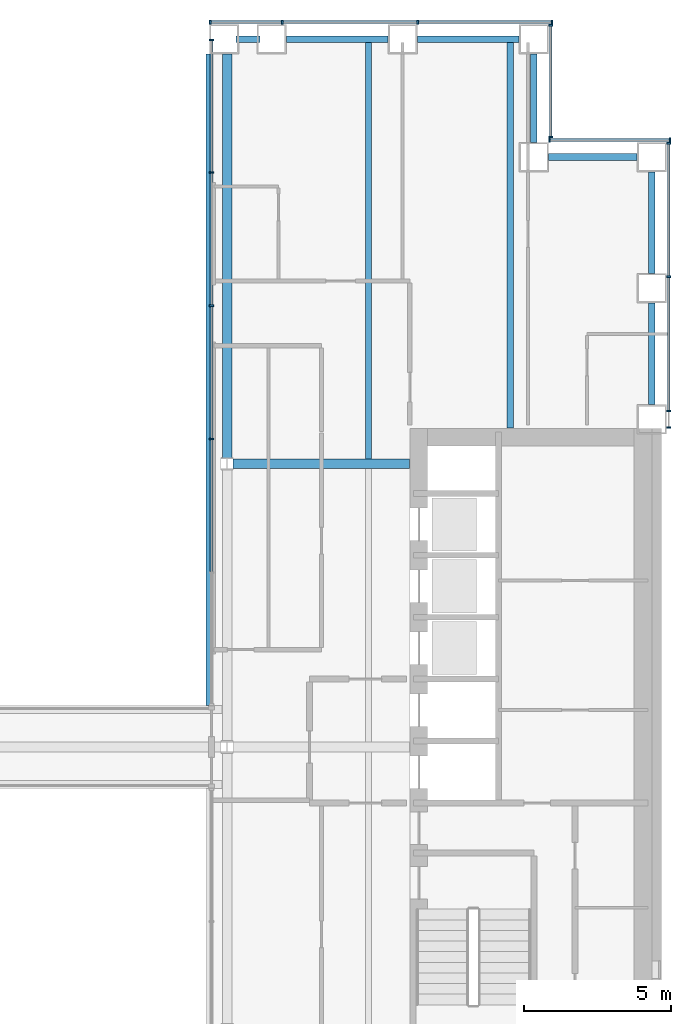
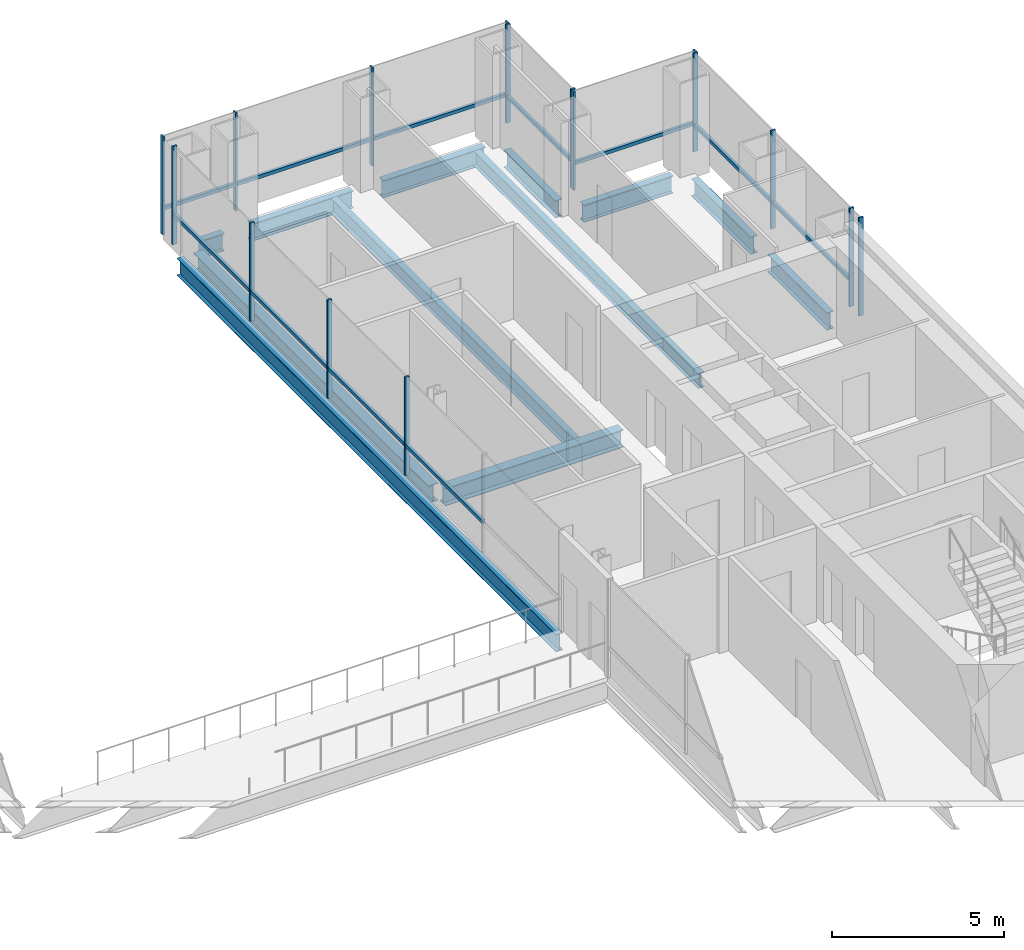
# One storey, part 7 of 19: 27 members, 12 beams, 5 elements without a shape of their own.
"""IFC4 building model written with IfcOpenShell, lengths in metres."""

import ifcopenshell
import ifcopenshell.guid

model = None  # the IFC model being written
_history = None  # IfcOwnerHistory: only IFC2X3 demands one
_inside = {}  # id of a spatial element -> (the spatial element, [elements in it])
_under = {}  # id of a project, library or spatial element -> (it, [spatial elements below it])
_declared = {}  # id of a project -> (the project, [libraries it declares])
_typed = {}  # id of a type object -> (the type object, [elements of that type])
_made_of = {}  # id of a material, layer set ... -> (it, [elements and type objects made of it])


def new_model(schema):
    """Start an empty IFC model of exactly this schema.

    Asked for "IFC4X3", IfcOpenShell would pick the latest addendum, in which some entities
    have other attributes; the version numbers below select the first issue.
    IFC2X3 requires an IfcOwnerHistory on every rooted entity: one is made here for all.
    """
    global model, _history
    if schema == "IFC4X3":
        model = ifcopenshell.file(schema_version=(4, 3, 0, 0))
    else:
        model = ifcopenshell.file(schema=schema)
    _inside.clear()
    _under.clear()
    _declared.clear()
    _typed.clear()
    _made_of.clear()
    _history = None
    if model.schema == "IFC2X3":
        org = make("IfcOrganization", Name="unknown")
        user = make(
            "IfcPersonAndOrganization",
            ThePerson=make("IfcPerson", FamilyName="unknown"),
            TheOrganization=org,
        )
        app = make(
            "IfcApplication",
            ApplicationDeveloper=org,
            Version="unknown",
            ApplicationFullName="unknown",
            ApplicationIdentifier="unknown",
        )
        _history = make(
            "IfcOwnerHistory",
            OwningUser=user,
            OwningApplication=app,
            ChangeAction="ADDED",
            CreationDate=0,
        )
    return model


def make(cls, **values):
    """One entity of the class cls with the attributes given. An attribute that is None is left unset."""
    return model.create_entity(
        cls, **{name: value for name, value in values.items() if value is not None}
    )


def rooted(cls, **values):
    """An entity with a GlobalId (a new one), such as an element, a storey or a relation."""
    return make(cls, GlobalId=ifcopenshell.guid.new(), OwnerHistory=_history, **values)


def si_unit(unit_type, name, prefix=None):
    """IfcSIUnit, for example si_unit("LENGTHUNIT", "METRE", prefix="MILLI")."""
    return make("IfcSIUnit", UnitType=unit_type, Prefix=prefix, Name=name)


def assignment(units):
    """IfcUnitAssignment: the units of a project."""
    return None if units is None else make("IfcUnitAssignment", Units=units)


def point(xyz):
    """IfcCartesianPoint."""
    return None if xyz is None else make("IfcCartesianPoint", Coordinates=xyz)


def direction(xyz):
    """IfcDirection."""
    return None if xyz is None else make("IfcDirection", DirectionRatios=xyz)


def frame(location, z_axis=None, x_axis=None):
    """IfcAxis2Placement3D, a coordinate frame: its origin and axes. An axis left out is left unset."""
    return make(
        "IfcAxis2Placement3D",
        Location=point(location),
        Axis=direction(z_axis),
        RefDirection=direction(x_axis),
    )


def frame_2d(location, x_axis=None):
    """IfcAxis2Placement2D, a coordinate frame in the plane: its origin and x axis."""
    return make(
        "IfcAxis2Placement2D", Location=point(location), RefDirection=direction(x_axis)
    )


def origin():
    """The frame at (0, 0, 0) with its axes left unset."""
    return frame((0.0, 0.0, 0.0))


def origin_2d():
    """The frame at (0, 0) in the plane with its x axis left unset."""
    return frame_2d((0.0, 0.0))


def place(relative_to, where):
    """IfcLocalPlacement: puts the frame where relative to a parent placement (None: the world)."""
    return make(
        "IfcLocalPlacement", PlacementRelTo=relative_to, RelativePlacement=where
    )


def context(
    kind, dimensions, precision=None, world=None, true_north=None, identifier=None
):
    """IfcGeometricRepresentationContext, for example the 3D "Model" context."""
    return make(
        "IfcGeometricRepresentationContext",
        ContextIdentifier=identifier,
        ContextType=kind,
        CoordinateSpaceDimension=dimensions,
        Precision=precision,
        WorldCoordinateSystem=world,
        TrueNorth=true_north,
    )


def subcontext(parent, identifier, kind, view, scale=None):
    """IfcGeometricRepresentationSubContext, for example "Body" below "Model"."""
    return make(
        "IfcGeometricRepresentationSubContext",
        ContextIdentifier=identifier,
        ContextType=kind,
        ParentContext=parent,
        TargetScale=scale,
        TargetView=view,
    )


def project(units=None, contexts=None):
    """IfcProject with its units and contexts."""
    return rooted(
        "IfcProject",
        Name="project",
        RepresentationContexts=contexts,
        UnitsInContext=assignment(units),
    )


def spatial(cls, under=None, at=None, **own):
    """A site, building, storey or space (cls), placed at a placement, below another one or the project."""
    s = rooted(cls, ObjectPlacement=at, **own)
    if under is not None:
        _under.setdefault(under.id(), (under, []))[1].append(s)
    return s


def profile(cls, at=None, kind="AREA", **sizes):
    """A parametric profile (cls). Its sizes go by their IFC names, for example OverallWidth=200.0."""
    return make(cls, ProfileType=kind, Position=at, **sizes)


def rectangle(**sizes):
    """IfcRectangleProfileDef."""
    return profile("IfcRectangleProfileDef", **sizes)


def i_section(**sizes):
    """IfcIShapeProfileDef."""
    return profile("IfcIShapeProfileDef", **sizes)


def extrude(swept, where, along, depth):
    """IfcExtrudedAreaSolid: the profile swept, set in the frame where, extruded along a direction by depth."""
    return make(
        "IfcExtrudedAreaSolid",
        SweptArea=swept,
        Position=where,
        ExtrudedDirection=direction(along),
        Depth=depth,
    )


def shape(context_of_items, identifier, shape_type, items):
    """IfcShapeRepresentation: the items that make up one representation, for example the "Body"."""
    return make(
        "IfcShapeRepresentation",
        ContextOfItems=context_of_items,
        RepresentationIdentifier=identifier,
        RepresentationType=shape_type,
        Items=items,
    )


def material(Name=None, Category=None):
    """IfcMaterial."""
    return make("IfcMaterial", Name=Name, Category=Category)


def material_profile(
    of_material, cross_section, Name=None, Category=None, Priority=None
):
    """IfcMaterialProfile: a cross section and its material."""
    return make(
        "IfcMaterialProfile",
        Name=Name,
        Material=of_material,
        Profile=cross_section,
        Priority=Priority,
        Category=Category,
    )


def profile_set(profiles, Name=None, composite=None):
    """IfcMaterialProfileSet."""
    return make(
        "IfcMaterialProfileSet",
        Name=Name,
        MaterialProfiles=profiles,
        CompositeProfile=composite,
    )


def made_of(thing, what):
    """Note that an element or type object is made of a material, layer set ...; save() writes the relation."""
    if what is not None:
        _made_of.setdefault(what.id(), (what, []))[1].append(thing)
    return thing


def type_object(cls, material=None, **own):
    """A type object (cls), such as IfcWallType, which elements share."""
    return made_of(rooted(cls, **own), material)


def element(
    cls,
    number,
    at=None,
    inside=None,
    cuts=None,
    type_object=None,
    material=None,
    context=None,
    identifier="Body",
    shape_type=None,
    held_by="IfcProductDefinitionShape",
    body=None,
    shapes=None,
    **own,
):
    """One element of the class cls, such as IfcWall. Its Tag is "e" and its number.

    at: its placement. inside: the storey or other place that contains it. cuts: it is an
    opening in that element (IfcRelVoidsElement). A single representation is given by context,
    identifier, shape_type and body (its items); several are given by shapes. held_by: the class
    of the entity that holds the representations. save() writes the other relations.
    """
    e = rooted(cls, Tag="e%d" % number, ObjectPlacement=at, **own)
    if body is not None:
        shapes = [shape(context, identifier, shape_type, body)]
    if shapes is not None:
        e.Representation = make(held_by, Representations=shapes)
    if inside is not None:
        _inside.setdefault(inside.id(), (inside, []))[1].append(e)
    if cuts is not None:
        rooted(
            "IfcRelVoidsElement", RelatingBuildingElement=cuts, RelatedOpeningElement=e
        )
    if type_object is not None:
        _typed.setdefault(type_object.id(), (type_object, []))[1].append(e)
    return made_of(e, material)


def aggregate(whole, parts):
    """IfcRelAggregates: a whole, such as a stair, and the parts it consists of."""
    return rooted("IfcRelAggregates", RelatingObject=whole, RelatedObjects=parts)


def save(model, path):
    """Write the relations noted so far, then the file.

    IfcRelAggregates (storeys below a building ...), IfcRelContainedInSpatialStructure (elements
    in a storey), IfcRelDefinesByType, IfcRelAssociatesMaterial and IfcRelDeclares: one each for
    every whole, place, type object, material and project.
    """
    for whole, parts in _under.values():
        aggregate(whole, parts)
    for where, things in _inside.values():
        rooted(
            "IfcRelContainedInSpatialStructure",
            RelatedElements=things,
            RelatingStructure=where,
        )
    for kind, things in _typed.values():
        rooted("IfcRelDefinesByType", RelatedObjects=things, RelatingType=kind)
    for what, things in _made_of.values():
        rooted("IfcRelAssociatesMaterial", RelatedObjects=things, RelatingMaterial=what)
    for by, libraries in _declared.values():
        rooted("IfcRelDeclares", RelatingContext=by, RelatedDefinitions=libraries)
    model.write(path)


model = new_model("IFC4")

# Units and contexts
model_context = context("Model", 3, precision=1e-05, world=origin(), true_north=direction((0.0, 1.0)))
body_context = subcontext(model_context, "Body", "Model", "MODEL_VIEW")
ifc_project = project(units=[si_unit("LENGTHUNIT", "METRE"), si_unit("AREAUNIT", "SQUARE_METRE"), si_unit("VOLUMEUNIT", "CUBIC_METRE"), si_unit("PLANEANGLEUNIT", "RADIAN"), si_unit("MASSUNIT", "GRAM", prefix="KILO")], contexts=[model_context])

# Site, building, storey
site_placement = place(None, origin())
site = spatial("IfcSite", under=ifc_project, at=site_placement, CompositionType="ELEMENT")
building_placement = place(site_placement, origin())
building = spatial("IfcBuilding", under=site, at=building_placement, Name="Cobrizo Arcos Hotel Tower", CompositionType="ELEMENT")
storey_placement = place(building_placement, frame((0.0, 0.0, 63.5)))
storey = spatial("IfcBuildingStorey", under=building, at=storey_placement, Name="L14", CompositionType="ELEMENT", Elevation=63.5)

# Curtain wall, members
ifc_material_1 = material(Name="Aluminium 6063-T6 anodised bronze", Category="aluminium")
curtain_wall_type_1 = type_object("IfcCurtainWallType", Name="CW-A guest facade", PredefinedType="NOTDEFINED", material=ifc_material_1)
curtain_wall_1_placement = place(storey_placement, origin())
curtain_wall_1 = element("IfcCurtainWall", 1, at=curtain_wall_1_placement, inside=storey, type_object=curtain_wall_type_1, Name="CW-A L14 E face", PredefinedType="NOTDEFINED")
ifc_material_profile_1 = material_profile(ifc_material_1, rectangle(XDim=0.14990234375, YDim=0.06005859375, at=origin_2d()), Name="CW-A mullion 150x60")
ifc_profile_set_1 = profile_set([ifc_material_profile_1], Name="Aluminium 6063-T6 anodised bronze")
member_type_1 = type_object("IfcMemberType", Name="CW-A mullion 150x60", PredefinedType="MULLION", material=ifc_profile_set_1)
member_1_placement = place(storey_placement, frame((24.574951171875, 10.830078125, 0.0), z_axis=(0.0, 0.0, 1.0), x_axis=(1.0, 0.0, 0.0)))
member_1 = element("IfcMember", 2, at=member_1_placement, type_object=member_type_1, Name="CW-A mullion 1", PredefinedType="MULLION", context=body_context, shape_type="SweptSolid", body=[
    extrude(rectangle(XDim=0.14990234375, YDim=0.06005859375, at=origin_2d()), origin(), (0.0, 0.0, 1.0), 3.5),
])
member_2_placement = place(storey_placement, frame((24.574951171875, 11.388916015625, 0.0), z_axis=(0.0, 0.0, 1.0), x_axis=(1.0, 0.0, 0.0)))
member_2 = element("IfcMember", 3, at=member_2_placement, type_object=member_type_1, Name="CW-A mullion 2", PredefinedType="MULLION", context=body_context, shape_type="SweptSolid", body=[
    extrude(rectangle(XDim=0.14990234375, YDim=0.06005859375, at=origin_2d()), origin(), (0.0, 0.0, 1.0), 3.5),
])
member_3_placement = place(storey_placement, frame((24.574951171875, 15.9443359375, 0.0), z_axis=(0.0, 0.0, 1.0), x_axis=(1.0, 0.0, 0.0)))
member_3 = element("IfcMember", 4, at=member_3_placement, type_object=member_type_1, Name="CW-A mullion 3", PredefinedType="MULLION", context=body_context, shape_type="SweptSolid", body=[
    extrude(rectangle(XDim=0.14990234375, YDim=0.06005859375, at=origin_2d()), origin(), (0.0, 0.0, 1.0), 3.5),
])
member_4_placement = place(storey_placement, frame((24.574951171875, 20.469970703125, 0.0), z_axis=(0.0, 0.0, 1.0), x_axis=(1.0, 0.0, 0.0)))
member_4 = element("IfcMember", 5, at=member_4_placement, type_object=member_type_1, Name="CW-A mullion 4", PredefinedType="MULLION", context=body_context, shape_type="SweptSolid", body=[
    extrude(rectangle(XDim=0.14990234375, YDim=0.06005859375, at=origin_2d()), origin(), (0.0, 0.0, 1.0), 3.5),
])

curtain_wall_2_placement = place(storey_placement, origin())
curtain_wall_2 = element("IfcCurtainWall", 6, at=curtain_wall_2_placement, inside=storey, type_object=curtain_wall_type_1, Name="CW-A L14 N face", PredefinedType="NOTDEFINED")
member_5_placement = place(storey_placement, frame((24.6201171875, 20.574951171875, 0.0), z_axis=(0.0, 0.0, 1.0), x_axis=(0.0, 1.0, 0.0)))
member_5 = element("IfcMember", 7, at=member_5_placement, type_object=member_type_1, Name="CW-A mullion 1", PredefinedType="MULLION", context=body_context, shape_type="SweptSolid", body=[
    extrude(rectangle(XDim=0.14990234375, YDim=0.06005859375, at=origin_2d()), origin(), (0.0, 0.0, 1.0), 3.5),
])
member_6_placement = place(storey_placement, frame((20.530029296875, 20.574951171875, 0.0), z_axis=(0.0, 0.0, 1.0), x_axis=(0.0, 1.0, 0.0)))
member_6 = element("IfcMember", 8, at=member_6_placement, type_object=member_type_1, Name="CW-A mullion 2", PredefinedType="MULLION", context=body_context, shape_type="SweptSolid", body=[
    extrude(rectangle(XDim=0.14990234375, YDim=0.06005859375, at=origin_2d()), origin(), (0.0, 0.0, 1.0), 3.5),
])

curtain_wall_3_placement = place(storey_placement, origin())
curtain_wall_3 = element("IfcCurtainWall", 9, at=curtain_wall_3_placement, inside=storey, type_object=curtain_wall_type_1, Name="CW-A L14 E face", PredefinedType="NOTDEFINED")
member_7_placement = place(storey_placement, frame((20.574951171875, 20.679931640625, 0.0), z_axis=(0.0, 0.0, 1.0), x_axis=(1.0, 0.0, 0.0)))
member_7 = element("IfcMember", 10, at=member_7_placement, type_object=member_type_1, Name="CW-A mullion 1", PredefinedType="MULLION", context=body_context, shape_type="SweptSolid", body=[
    extrude(rectangle(XDim=0.14990234375, YDim=0.06005859375, at=origin_2d()), origin(), (0.0, 0.0, 1.0), 3.5),
])
member_8_placement = place(storey_placement, frame((20.574951171875, 24.469970703125, 0.0), z_axis=(0.0, 0.0, 1.0), x_axis=(1.0, 0.0, 0.0)))
member_8 = element("IfcMember", 11, at=member_8_placement, type_object=member_type_1, Name="CW-A mullion 2", PredefinedType="MULLION", context=body_context, shape_type="SweptSolid", body=[
    extrude(rectangle(XDim=0.14990234375, YDim=0.06005859375, at=origin_2d()), origin(), (0.0, 0.0, 1.0), 3.5),
])

curtain_wall_4_placement = place(storey_placement, origin())
curtain_wall_4 = element("IfcCurtainWall", 12, at=curtain_wall_4_placement, inside=storey, type_object=curtain_wall_type_1, Name="CW-A L14 N face", PredefinedType="NOTDEFINED")
member_9_placement = place(storey_placement, frame((20.6201171875, 24.574951171875, 0.0), z_axis=(0.0, 0.0, 1.0), x_axis=(0.0, 1.0, 0.0)))
member_9 = element("IfcMember", 13, at=member_9_placement, type_object=member_type_1, Name="CW-A mullion 1", PredefinedType="MULLION", context=body_context, shape_type="SweptSolid", body=[
    extrude(rectangle(XDim=0.14990234375, YDim=0.06005859375, at=origin_2d()), origin(), (0.0, 0.0, 1.0), 3.5),
])
member_10_placement = place(storey_placement, frame((16.06103515625, 24.574951171875, 0.0), z_axis=(0.0, 0.0, 1.0), x_axis=(0.0, 1.0, 0.0)))
member_10 = element("IfcMember", 14, at=member_10_placement, type_object=member_type_1, Name="CW-A mullion 2", PredefinedType="MULLION", context=body_context, shape_type="SweptSolid", body=[
    extrude(rectangle(XDim=0.14990234375, YDim=0.06005859375, at=origin_2d()), origin(), (0.0, 0.0, 1.0), 3.5),
])
member_11_placement = place(storey_placement, frame((11.47216796875, 24.574951171875, 0.0), z_axis=(0.0, 0.0, 1.0), x_axis=(0.0, 1.0, 0.0)))
member_11 = element("IfcMember", 15, at=member_11_placement, type_object=member_type_1, Name="CW-A mullion 3", PredefinedType="MULLION", context=body_context, shape_type="SweptSolid", body=[
    extrude(rectangle(XDim=0.14990234375, YDim=0.06005859375, at=origin_2d()), origin(), (0.0, 0.0, 1.0), 3.5),
])
member_12_placement = place(storey_placement, frame((9.030029296875, 24.574951171875, 0.0), z_axis=(0.0, 0.0, 1.0), x_axis=(0.0, 1.0, 0.0)))
member_12 = element("IfcMember", 16, at=member_12_placement, type_object=member_type_1, Name="CW-A mullion 4", PredefinedType="MULLION", context=body_context, shape_type="SweptSolid", body=[
    extrude(rectangle(XDim=0.14990234375, YDim=0.06005859375, at=origin_2d()), origin(), (0.0, 0.0, 1.0), 3.5),
])

# Member
ifc_material_profile_2 = material_profile(ifc_material_1, rectangle(XDim=0.10009765625, YDim=0.1201171875, at=origin_2d()), Name="CW-A transom 120x100")
ifc_profile_set_2 = profile_set([ifc_material_profile_2], Name="Aluminium 6063-T6 anodised bronze")
member_type_2 = type_object("IfcMemberType", Name="CW-A transom 120x100", PredefinedType="USERDEFINED", material=ifc_profile_set_2)
member_13_placement = place(storey_placement, frame((24.574951171875, 11.4189453125, 0.929931640625), z_axis=(0.0, 1.0, 0.0), x_axis=(-1.0, 0.0, 0.0)))
member_13 = element("IfcMember", 17, at=member_13_placement, type_object=member_type_2, Name="CW-A transom 633", ObjectType="TRANSOM", PredefinedType="USERDEFINED", context=body_context, shape_type="SweptSolid", body=[
    extrude(rectangle(XDim=0.10009765625, YDim=0.1201171875, at=origin_2d()), origin(), (0.0, 0.0, 1.0), 4.49560546875),
])

member_14_placement = place(storey_placement, frame((24.574951171875, 15.974365234375, 0.929931640625), z_axis=(0.0, 1.0, 0.0), x_axis=(-1.0, 0.0, 0.0)))
member_14 = element("IfcMember", 18, at=member_14_placement, type_object=member_type_2, Name="CW-A transom 634", ObjectType="TRANSOM", PredefinedType="USERDEFINED", context=body_context, shape_type="SweptSolid", body=[
    extrude(rectangle(XDim=0.10009765625, YDim=0.1201171875, at=origin_2d()), origin(), (0.0, 0.0, 1.0), 4.465576171875),
])

aggregate(curtain_wall_1, [member_1, member_2, member_3, member_4, member_13, member_14])

member_15_placement = place(storey_placement, frame((24.590087890625, 20.574951171875, 0.929931640625), z_axis=(-1.0, 0.0, 0.0), x_axis=(0.0, -1.0, 0.0)))
member_15 = element("IfcMember", 19, at=member_15_placement, type_object=member_type_2, Name="CW-A transom 635", ObjectType="TRANSOM", PredefinedType="USERDEFINED", context=body_context, shape_type="SweptSolid", body=[
    extrude(rectangle(XDim=0.10009765625, YDim=0.1201171875, at=origin_2d()), origin(), (0.0, 0.0, 1.0), 4.030029296875),
])

aggregate(curtain_wall_2, [member_5, member_6, member_15])

member_16_placement = place(storey_placement, frame((20.574951171875, 20.7099609375, 0.929931640625), z_axis=(0.0, 1.0, 0.0), x_axis=(-1.0, 0.0, 0.0)))
member_16 = element("IfcMember", 20, at=member_16_placement, type_object=member_type_2, Name="CW-A transom 636", ObjectType="TRANSOM", PredefinedType="USERDEFINED", context=body_context, shape_type="SweptSolid", body=[
    extrude(rectangle(XDim=0.10009765625, YDim=0.1201171875, at=origin_2d()), origin(), (0.0, 0.0, 1.0), 3.72998046875),
])

aggregate(curtain_wall_3, [member_7, member_8, member_16])

member_17_placement = place(storey_placement, frame((20.590087890625, 24.574951171875, 0.929931640625), z_axis=(-1.0, 0.0, 0.0), x_axis=(0.0, -1.0, 0.0)))
member_17 = element("IfcMember", 21, at=member_17_placement, type_object=member_type_2, Name="CW-A transom 637", ObjectType="TRANSOM", PredefinedType="USERDEFINED", context=body_context, shape_type="SweptSolid", body=[
    extrude(rectangle(XDim=0.10009765625, YDim=0.1201171875, at=origin_2d()), origin(), (0.0, 0.0, 1.0), 4.4990234375),
])

member_18_placement = place(storey_placement, frame((16.031005859375, 24.574951171875, 0.929931640625), z_axis=(-1.0, 0.0, 0.0), x_axis=(0.0, -1.0, 0.0)))
member_18 = element("IfcMember", 22, at=member_18_placement, type_object=member_type_2, Name="CW-A transom 638", ObjectType="TRANSOM", PredefinedType="USERDEFINED", context=body_context, shape_type="SweptSolid", body=[
    extrude(rectangle(XDim=0.10009765625, YDim=0.1201171875, at=origin_2d()), origin(), (0.0, 0.0, 1.0), 4.52880859375),
])

member_19_placement = place(storey_placement, frame((11.442138671875, 24.574951171875, 0.929931640625), z_axis=(-1.0, 0.0, 0.0), x_axis=(0.0, -1.0, 0.0)))
member_19 = element("IfcMember", 23, at=member_19_placement, type_object=member_type_2, Name="CW-A transom 639", ObjectType="TRANSOM", PredefinedType="USERDEFINED", context=body_context, shape_type="SweptSolid", body=[
    extrude(rectangle(XDim=0.10009765625, YDim=0.1201171875, at=origin_2d()), origin(), (0.0, 0.0, 1.0), 2.382080078125),
])

aggregate(curtain_wall_4, [member_9, member_10, member_11, member_12, member_17, member_18, member_19])

# Curtain wall, members
curtain_wall_type_2 = type_object("IfcCurtainWallType", Name="CW-F void screen", PredefinedType="NOTDEFINED", material=ifc_material_1)
curtain_wall_5_placement = place(storey_placement, origin())
curtain_wall_5 = element("IfcCurtainWall", 24, at=curtain_wall_5_placement, inside=storey, type_object=curtain_wall_type_2, Name="CW-F L14 void screen A", PredefinedType="NOTDEFINED")
ifc_material_profile_3 = material_profile(ifc_material_1, rectangle(XDim=0.14990234375, YDim=0.06005859375, at=origin_2d()), Name="CW-F mullion 150x60")
ifc_profile_set_3 = profile_set([ifc_material_profile_3], Name="Aluminium 6063-T6 anodised bronze")
member_type_3 = type_object("IfcMemberType", Name="CW-F mullion 150x60", PredefinedType="MULLION", material=ifc_profile_set_3)
member_20_placement = place(storey_placement, frame((9.074951171875, 10.43994140625, 0.0), z_axis=(0.0, 0.0, 1.0), x_axis=(1.0, 0.0, 0.0)))
member_20 = element("IfcMember", 25, at=member_20_placement, type_object=member_type_3, Name="CW-F mullion 3", PredefinedType="MULLION", context=body_context, shape_type="SweptSolid", body=[
    extrude(rectangle(XDim=0.14990234375, YDim=0.06005859375, at=origin_2d()), origin(), (0.0, 0.0, 1.0), 3.5),
])
member_21_placement = place(storey_placement, frame((9.074951171875, 14.9599609375, 0.0), z_axis=(0.0, 0.0, 1.0), x_axis=(1.0, 0.0, 0.0)))
member_21 = element("IfcMember", 26, at=member_21_placement, type_object=member_type_3, Name="CW-F mullion 4", PredefinedType="MULLION", context=body_context, shape_type="SweptSolid", body=[
    extrude(rectangle(XDim=0.14990234375, YDim=0.06005859375, at=origin_2d()), origin(), (0.0, 0.0, 1.0), 3.5),
])
member_22_placement = place(storey_placement, frame((9.074951171875, 19.47998046875, 0.0), z_axis=(0.0, 0.0, 1.0), x_axis=(1.0, 0.0, 0.0)))
member_22 = element("IfcMember", 27, at=member_22_placement, type_object=member_type_3, Name="CW-F mullion 5", PredefinedType="MULLION", context=body_context, shape_type="SweptSolid", body=[
    extrude(rectangle(XDim=0.14990234375, YDim=0.06005859375, at=origin_2d()), origin(), (0.0, 0.0, 1.0), 3.5),
])
member_23_placement = place(storey_placement, frame((9.074951171875, 23.969970703125, 0.0), z_axis=(0.0, 0.0, 1.0), x_axis=(1.0, 0.0, 0.0)))
member_23 = element("IfcMember", 28, at=member_23_placement, type_object=member_type_3, Name="CW-F mullion 6", PredefinedType="MULLION", context=body_context, shape_type="SweptSolid", body=[
    extrude(rectangle(XDim=0.14990234375, YDim=0.06005859375, at=origin_2d()), origin(), (0.0, 0.0, 1.0), 3.5),
])
ifc_material_profile_4 = material_profile(ifc_material_1, rectangle(XDim=0.10009765625, YDim=0.1201171875, at=origin_2d()), Name="CW-F transom 120x100")
ifc_profile_set_4 = profile_set([ifc_material_profile_4], Name="Aluminium 6063-T6 anodised bronze")
member_type_4 = type_object("IfcMemberType", Name="CW-F transom 120x100", PredefinedType="USERDEFINED", material=ifc_profile_set_4)
member_24_placement = place(storey_placement, frame((9.074951171875, 5.949951171875, 1.050048828125), z_axis=(0.0, 1.0, 0.0), x_axis=(-1.0, 0.0, 0.0)))
member_24 = element("IfcMember", 29, at=member_24_placement, type_object=member_type_4, Name="CW-F transom 2454", ObjectType="TRANSOM", PredefinedType="USERDEFINED", context=body_context, shape_type="SweptSolid", body=[
    extrude(rectangle(XDim=0.10009765625, YDim=0.1201171875, at=origin_2d()), origin(), (0.0, 0.0, 1.0), 4.4599609375),
])
member_25_placement = place(storey_placement, frame((9.074951171875, 10.469970703125, 1.050048828125), z_axis=(0.0, 1.0, 0.0), x_axis=(-1.0, 0.0, 0.0)))
member_25 = element("IfcMember", 30, at=member_25_placement, type_object=member_type_4, Name="CW-F transom 2455", ObjectType="TRANSOM", PredefinedType="USERDEFINED", context=body_context, shape_type="SweptSolid", body=[
    extrude(rectangle(XDim=0.10009765625, YDim=0.1201171875, at=origin_2d()), origin(), (0.0, 0.0, 1.0), 4.4599609375),
])
member_26_placement = place(storey_placement, frame((9.074951171875, 14.989990234375, 1.050048828125), z_axis=(0.0, 1.0, 0.0), x_axis=(-1.0, 0.0, 0.0)))
member_26 = element("IfcMember", 31, at=member_26_placement, type_object=member_type_4, Name="CW-F transom 2456", ObjectType="TRANSOM", PredefinedType="USERDEFINED", context=body_context, shape_type="SweptSolid", body=[
    extrude(rectangle(XDim=0.10009765625, YDim=0.1201171875, at=origin_2d()), origin(), (0.0, 0.0, 1.0), 4.4599609375),
])
member_27_placement = place(storey_placement, frame((9.074951171875, 19.510009765625, 1.050048828125), z_axis=(0.0, 1.0, 0.0), x_axis=(-1.0, 0.0, 0.0)))
member_27 = element("IfcMember", 32, at=member_27_placement, type_object=member_type_4, Name="CW-F transom 2457", ObjectType="TRANSOM", PredefinedType="USERDEFINED", context=body_context, shape_type="SweptSolid", body=[
    extrude(rectangle(XDim=0.10009765625, YDim=0.1201171875, at=origin_2d()), origin(), (0.0, 0.0, 1.0), 4.429931640625),
])
aggregate(curtain_wall_5, [member_20, member_21, member_22, member_23, member_24, member_25, member_26, member_27])

# Beams
ifc_material_2 = material(Name="Steel ASTM A992 Grade 50", Category="steel")
ifc_material_profile_5 = material_profile(ifc_material_2, i_section(OverallWidth=0.209228515625, OverallDepth=0.533447265625, WebThickness=0.01025390625, FlangeThickness=0.015625, at=origin_2d()), Name="W21X62")
ifc_profile_set_5 = profile_set([ifc_material_profile_5], Name="Steel ASTM A992 Grade 50")
beam_type_1 = type_object("IfcBeamType", Name="W21X62 joist", PredefinedType="JOIST", material=ifc_profile_set_5)
beam_1_placement = place(storey_placement, frame((14.39990234375, 9.763916015625, -0.416748046875), z_axis=(0.0, 1.0, 0.0), x_axis=(-1.0, 0.0, 0.0)))
element("IfcBeam", 33, at=beam_1_placement, inside=storey, type_object=beam_type_1, Name="Floor joist J1, L14, no. 010", PredefinedType="JOIST", context=body_context, shape_type="SweptSolid", body=[
    extrude(i_section(OverallWidth=0.209228515625, OverallDepth=0.533447265625, WebThickness=0.01025390625, FlangeThickness=0.015625, at=origin_2d()), origin(), (0.0, 0.0, 1.0), 14.14599609375),
])
beam_2_placement = place(storey_placement, frame((19.199951171875, 10.81005859375, -0.416748046875), z_axis=(0.0, 1.0, 0.0), x_axis=(-1.0, 0.0, 0.0)))
element("IfcBeam", 34, at=beam_2_placement, inside=storey, type_object=beam_type_1, Name="Floor joist J1, L14, no. 012", PredefinedType="JOIST", context=body_context, shape_type="SweptSolid", body=[
    extrude(i_section(OverallWidth=0.209228515625, OverallDepth=0.533447265625, WebThickness=0.01025390625, FlangeThickness=0.015625, at=origin_2d()), origin(), (0.0, 0.0, 1.0), 13.099853515625),
])
ifc_material_profile_6 = material_profile(ifc_material_2, i_section(OverallWidth=0.32763671875, OverallDepth=0.622314453125, WebThickness=0.015380859375, FlangeThickness=0.0244140625, at=origin_2d()), Name="W24X131")
ifc_profile_set_6 = profile_set([ifc_material_profile_6], Name="Steel ASTM A992 Grade 50")
beam_type_2 = type_object("IfcBeamType", Name="W24X131 girder", PredefinedType="BEAM", material=ifc_profile_set_6)
beam_3_placement = place(storey_placement, frame((9.804443359375, 9.60009765625, -0.461181640625), z_axis=(1.0, 0.0, 0.0), x_axis=(0.0, 1.0, 0.0)))
element("IfcBeam", 35, at=beam_3_placement, inside=storey, type_object=beam_type_2, Name="Floor girder G1, L14, no. 007", PredefinedType="BEAM", context=body_context, shape_type="SweptSolid", body=[
    extrude(i_section(OverallWidth=0.32763671875, OverallDepth=0.622314453125, WebThickness=0.015380859375, FlangeThickness=0.0244140625, at=origin_2d()), origin(), (0.0, 0.0, 1.0), 5.985595703125),
])
beam_4_placement = place(storey_placement, frame((9.60009765625, 9.804443359375, -0.461181640625), z_axis=(0.0, 1.0, 0.0), x_axis=(-1.0, 0.0, 0.0)))
element("IfcBeam", 36, at=beam_4_placement, inside=storey, type_object=beam_type_2, Name="Floor girder G1, L14, no. 015", PredefinedType="BEAM", context=body_context, shape_type="SweptSolid", body=[
    extrude(i_section(OverallWidth=0.32763671875, OverallDepth=0.622314453125, WebThickness=0.015380859375, FlangeThickness=0.0244140625, at=origin_2d()), origin(), (0.0, 0.0, 1.0), 13.695556640625),
])
ifc_material_profile_7 = material_profile(ifc_material_2, i_section(OverallWidth=0.23046875, OverallDepth=0.6171875, WebThickness=0.01318359375, FlangeThickness=0.022216796875, at=origin_2d()), Name="W24X94")
ifc_profile_set_7 = profile_set([ifc_material_profile_7], Name="Steel ASTM A992 Grade 50")
beam_type_3 = type_object("IfcBeamType", Name="W24X94 spandrel", PredefinedType="SPANDREL", material=ifc_profile_set_7)
beam_5_placement = place(storey_placement, frame((20.5, 20.0, -0.45849609375), z_axis=(1.0, 0.0, 0.0), x_axis=(0.0, 1.0, 0.0)))
element("IfcBeam", 37, at=beam_5_placement, inside=storey, type_object=beam_type_3, Name="Spandrel beam W24X94, L14, no. 001", PredefinedType="SPANDREL", context=body_context, shape_type="SweptSolid", body=[
    extrude(i_section(OverallWidth=0.23046875, OverallDepth=0.6171875, WebThickness=0.01318359375, FlangeThickness=0.022216796875, at=origin_2d()), origin(), (0.0, 0.0, 1.0), 3.0),
])
beam_6_placement = place(storey_placement, frame((24.0, 19.5, -0.45849609375), z_axis=(0.0, -1.0, 0.0), x_axis=(1.0, 0.0, 0.0)))
element("IfcBeam", 38, at=beam_6_placement, inside=storey, type_object=beam_type_3, Name="Spandrel beam W24X94, L14, no. 002", PredefinedType="SPANDREL", context=body_context, shape_type="SweptSolid", body=[
    extrude(i_section(OverallWidth=0.23046875, OverallDepth=0.6171875, WebThickness=0.01318359375, FlangeThickness=0.022216796875, at=origin_2d()), origin(), (0.0, 0.0, 1.0), 3.444091796875),
])
beam_7_placement = place(storey_placement, frame((24.0, 15.055908203125, -0.45849609375), z_axis=(0.0, -1.0, 0.0), x_axis=(1.0, 0.0, 0.0)))
element("IfcBeam", 39, at=beam_7_placement, inside=storey, type_object=beam_type_3, Name="Spandrel beam W24X94, L14, no. 003", PredefinedType="SPANDREL", context=body_context, shape_type="SweptSolid", body=[
    extrude(i_section(OverallWidth=0.23046875, OverallDepth=0.6171875, WebThickness=0.01318359375, FlangeThickness=0.022216796875, at=origin_2d()), origin(), (0.0, 0.0, 1.0), 3.44482421875),
])
beam_8_placement = place(storey_placement, frame((9.0, 1.39990234375, -0.45849609375), z_axis=(0.0, 1.0, 0.0), x_axis=(-1.0, 0.0, 0.0)))
element("IfcBeam", 40, at=beam_8_placement, inside=storey, type_object=beam_type_3, Name="Spandrel beam W24X94, L14, no. 028", PredefinedType="SPANDREL", context=body_context, shape_type="SweptSolid", body=[
    extrude(i_section(OverallWidth=0.23046875, OverallDepth=0.6171875, WebThickness=0.01318359375, FlangeThickness=0.022216796875, at=origin_2d()), origin(), (0.0, 0.0, 1.0), 22.10009765625),
])
beam_9_placement = place(storey_placement, frame((9.89990234375, 24.0, -0.45849609375), z_axis=(1.0, 0.0, 0.0), x_axis=(0.0, 1.0, 0.0)))
element("IfcBeam", 41, at=beam_9_placement, inside=storey, type_object=beam_type_3, Name="Spandrel beam W24X94, L14, no. 029", PredefinedType="SPANDREL", context=body_context, shape_type="SweptSolid", body=[
    extrude(i_section(OverallWidth=0.23046875, OverallDepth=0.6171875, WebThickness=0.01318359375, FlangeThickness=0.022216796875, at=origin_2d()), origin(), (0.0, 0.0, 1.0), 0.81103515625),
])
beam_10_placement = place(storey_placement, frame((11.611083984375, 24.0, -0.45849609375), z_axis=(1.0, 0.0, 0.0), x_axis=(0.0, 1.0, 0.0)))
element("IfcBeam", 42, at=beam_10_placement, inside=storey, type_object=beam_type_3, Name="Spandrel beam W24X94, L14, no. 030", PredefinedType="SPANDREL", context=body_context, shape_type="SweptSolid", body=[
    extrude(i_section(OverallWidth=0.23046875, OverallDepth=0.6171875, WebThickness=0.01318359375, FlangeThickness=0.022216796875, at=origin_2d()), origin(), (0.0, 0.0, 1.0), 3.44482421875),
])
beam_11_placement = place(storey_placement, frame((16.055908203125, 24.0, -0.45849609375), z_axis=(1.0, 0.0, 0.0), x_axis=(0.0, 1.0, 0.0)))
element("IfcBeam", 43, at=beam_11_placement, inside=storey, type_object=beam_type_3, Name="Spandrel beam W24X94, L14, no. 031", PredefinedType="SPANDREL", context=body_context, shape_type="SweptSolid", body=[
    extrude(i_section(OverallWidth=0.23046875, OverallDepth=0.6171875, WebThickness=0.01318359375, FlangeThickness=0.022216796875, at=origin_2d()), origin(), (0.0, 0.0, 1.0), 3.444091796875),
])
beam_12_placement = place(storey_placement, frame((20.0, 23.5, -0.45849609375), z_axis=(0.0, -1.0, 0.0), x_axis=(1.0, 0.0, 0.0)))
element("IfcBeam", 44, at=beam_12_placement, inside=storey, type_object=beam_type_3, Name="Spandrel beam W24X94, L14, no. 032", PredefinedType="SPANDREL", context=body_context, shape_type="SweptSolid", body=[
    extrude(i_section(OverallWidth=0.23046875, OverallDepth=0.6171875, WebThickness=0.01318359375, FlangeThickness=0.022216796875, at=origin_2d()), origin(), (0.0, 0.0, 1.0), 3.0),
])

save(model, "model.ifc")
